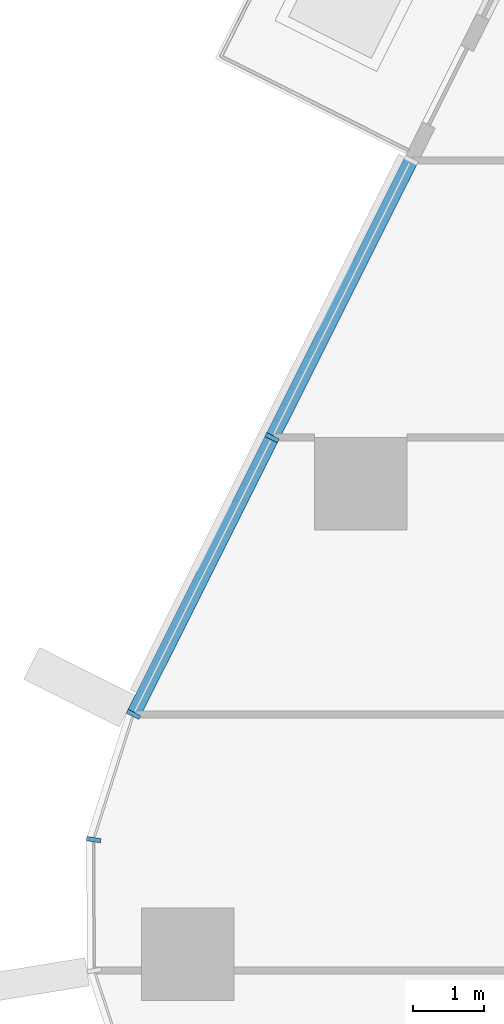
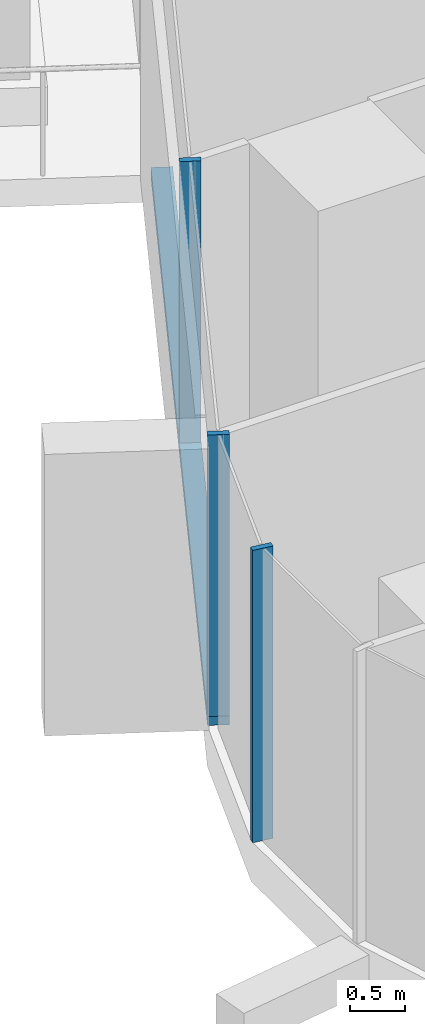
# One storey, part 3 of 24: 4 members, 2 elements without a shape of their own.
"""IFC4 building model written with IfcOpenShell, lengths in metres."""

import ifcopenshell
import ifcopenshell.guid

model = None  # the IFC model being written
_history = None  # IfcOwnerHistory: only IFC2X3 demands one
_inside = {}  # id of a spatial element -> (the spatial element, [elements in it])
_under = {}  # id of a project, library or spatial element -> (it, [spatial elements below it])
_declared = {}  # id of a project -> (the project, [libraries it declares])
_typed = {}  # id of a type object -> (the type object, [elements of that type])
_made_of = {}  # id of a material, layer set ... -> (it, [elements and type objects made of it])


def new_model(schema):
    """Start an empty IFC model of exactly this schema.

    Asked for "IFC4X3", IfcOpenShell would pick the latest addendum, in which some entities
    have other attributes; the version numbers below select the first issue.
    IFC2X3 requires an IfcOwnerHistory on every rooted entity: one is made here for all.
    """
    global model, _history
    if schema == "IFC4X3":
        model = ifcopenshell.file(schema_version=(4, 3, 0, 0))
    else:
        model = ifcopenshell.file(schema=schema)
    _inside.clear()
    _under.clear()
    _declared.clear()
    _typed.clear()
    _made_of.clear()
    _history = None
    if model.schema == "IFC2X3":
        org = make("IfcOrganization", Name="unknown")
        user = make(
            "IfcPersonAndOrganization",
            ThePerson=make("IfcPerson", FamilyName="unknown"),
            TheOrganization=org,
        )
        app = make(
            "IfcApplication",
            ApplicationDeveloper=org,
            Version="unknown",
            ApplicationFullName="unknown",
            ApplicationIdentifier="unknown",
        )
        _history = make(
            "IfcOwnerHistory",
            OwningUser=user,
            OwningApplication=app,
            ChangeAction="ADDED",
            CreationDate=0,
        )
    return model


def make(cls, **values):
    """One entity of the class cls with the attributes given. An attribute that is None is left unset."""
    return model.create_entity(
        cls, **{name: value for name, value in values.items() if value is not None}
    )


def rooted(cls, **values):
    """An entity with a GlobalId (a new one), such as an element, a storey or a relation."""
    return make(cls, GlobalId=ifcopenshell.guid.new(), OwnerHistory=_history, **values)


def si_unit(unit_type, name, prefix=None):
    """IfcSIUnit, for example si_unit("LENGTHUNIT", "METRE", prefix="MILLI")."""
    return make("IfcSIUnit", UnitType=unit_type, Prefix=prefix, Name=name)


def assignment(units):
    """IfcUnitAssignment: the units of a project."""
    return None if units is None else make("IfcUnitAssignment", Units=units)


def point(xyz):
    """IfcCartesianPoint."""
    return None if xyz is None else make("IfcCartesianPoint", Coordinates=xyz)


def direction(xyz):
    """IfcDirection."""
    return None if xyz is None else make("IfcDirection", DirectionRatios=xyz)


def frame(location, z_axis=None, x_axis=None):
    """IfcAxis2Placement3D, a coordinate frame: its origin and axes. An axis left out is left unset."""
    return make(
        "IfcAxis2Placement3D",
        Location=point(location),
        Axis=direction(z_axis),
        RefDirection=direction(x_axis),
    )


def frame_2d(location, x_axis=None):
    """IfcAxis2Placement2D, a coordinate frame in the plane: its origin and x axis."""
    return make(
        "IfcAxis2Placement2D", Location=point(location), RefDirection=direction(x_axis)
    )


def origin():
    """The frame at (0, 0, 0) with its axes left unset."""
    return frame((0.0, 0.0, 0.0))


def origin_2d():
    """The frame at (0, 0) in the plane with its x axis left unset."""
    return frame_2d((0.0, 0.0))


def place(relative_to, where):
    """IfcLocalPlacement: puts the frame where relative to a parent placement (None: the world)."""
    return make(
        "IfcLocalPlacement", PlacementRelTo=relative_to, RelativePlacement=where
    )


def context(
    kind, dimensions, precision=None, world=None, true_north=None, identifier=None
):
    """IfcGeometricRepresentationContext, for example the 3D "Model" context."""
    return make(
        "IfcGeometricRepresentationContext",
        ContextIdentifier=identifier,
        ContextType=kind,
        CoordinateSpaceDimension=dimensions,
        Precision=precision,
        WorldCoordinateSystem=world,
        TrueNorth=true_north,
    )


def subcontext(parent, identifier, kind, view, scale=None):
    """IfcGeometricRepresentationSubContext, for example "Body" below "Model"."""
    return make(
        "IfcGeometricRepresentationSubContext",
        ContextIdentifier=identifier,
        ContextType=kind,
        ParentContext=parent,
        TargetScale=scale,
        TargetView=view,
    )


def project(units=None, contexts=None):
    """IfcProject with its units and contexts."""
    return rooted(
        "IfcProject",
        Name="project",
        RepresentationContexts=contexts,
        UnitsInContext=assignment(units),
    )


def spatial(cls, under=None, at=None, **own):
    """A site, building, storey or space (cls), placed at a placement, below another one or the project."""
    s = rooted(cls, ObjectPlacement=at, **own)
    if under is not None:
        _under.setdefault(under.id(), (under, []))[1].append(s)
    return s


def profile(cls, at=None, kind="AREA", **sizes):
    """A parametric profile (cls). Its sizes go by their IFC names, for example OverallWidth=200.0."""
    return make(cls, ProfileType=kind, Position=at, **sizes)


def rectangle(**sizes):
    """IfcRectangleProfileDef."""
    return profile("IfcRectangleProfileDef", **sizes)


def extrude(swept, where, along, depth):
    """IfcExtrudedAreaSolid: the profile swept, set in the frame where, extruded along a direction by depth."""
    return make(
        "IfcExtrudedAreaSolid",
        SweptArea=swept,
        Position=where,
        ExtrudedDirection=direction(along),
        Depth=depth,
    )


def shape(context_of_items, identifier, shape_type, items):
    """IfcShapeRepresentation: the items that make up one representation, for example the "Body"."""
    return make(
        "IfcShapeRepresentation",
        ContextOfItems=context_of_items,
        RepresentationIdentifier=identifier,
        RepresentationType=shape_type,
        Items=items,
    )


def material(Name=None, Category=None):
    """IfcMaterial."""
    return make("IfcMaterial", Name=Name, Category=Category)


def layer(
    of_material, thickness, ventilated=None, Name=None, Category=None, Priority=None
):
    """IfcMaterialLayer: one layer of a wall or slab, of a material (None: an air gap)."""
    return make(
        "IfcMaterialLayer",
        Material=of_material,
        LayerThickness=thickness,
        IsVentilated=ventilated,
        Name=Name,
        Category=Category,
        Priority=Priority,
    )


def layer_set(layers, Name=None):
    """IfcMaterialLayerSet."""
    return make("IfcMaterialLayerSet", MaterialLayers=layers, LayerSetName=Name)


def material_profile(
    of_material, cross_section, Name=None, Category=None, Priority=None
):
    """IfcMaterialProfile: a cross section and its material."""
    return make(
        "IfcMaterialProfile",
        Name=Name,
        Material=of_material,
        Profile=cross_section,
        Priority=Priority,
        Category=Category,
    )


def profile_set(profiles, Name=None, composite=None):
    """IfcMaterialProfileSet."""
    return make(
        "IfcMaterialProfileSet",
        Name=Name,
        MaterialProfiles=profiles,
        CompositeProfile=composite,
    )


def made_of(thing, what):
    """Note that an element or type object is made of a material, layer set ...; save() writes the relation."""
    if what is not None:
        _made_of.setdefault(what.id(), (what, []))[1].append(thing)
    return thing


def type_object(cls, material=None, **own):
    """A type object (cls), such as IfcWallType, which elements share."""
    return made_of(rooted(cls, **own), material)


def element(
    cls,
    number,
    at=None,
    inside=None,
    cuts=None,
    type_object=None,
    material=None,
    context=None,
    identifier="Body",
    shape_type=None,
    held_by="IfcProductDefinitionShape",
    body=None,
    shapes=None,
    **own,
):
    """One element of the class cls, such as IfcWall. Its Tag is "e" and its number.

    at: its placement. inside: the storey or other place that contains it. cuts: it is an
    opening in that element (IfcRelVoidsElement). A single representation is given by context,
    identifier, shape_type and body (its items); several are given by shapes. held_by: the class
    of the entity that holds the representations. save() writes the other relations.
    """
    e = rooted(cls, Tag="e%d" % number, ObjectPlacement=at, **own)
    if body is not None:
        shapes = [shape(context, identifier, shape_type, body)]
    if shapes is not None:
        e.Representation = make(held_by, Representations=shapes)
    if inside is not None:
        _inside.setdefault(inside.id(), (inside, []))[1].append(e)
    if cuts is not None:
        rooted(
            "IfcRelVoidsElement", RelatingBuildingElement=cuts, RelatedOpeningElement=e
        )
    if type_object is not None:
        _typed.setdefault(type_object.id(), (type_object, []))[1].append(e)
    return made_of(e, material)


def aggregate(whole, parts):
    """IfcRelAggregates: a whole, such as a stair, and the parts it consists of."""
    return rooted("IfcRelAggregates", RelatingObject=whole, RelatedObjects=parts)


def save(model, path):
    """Write the relations noted so far, then the file.

    IfcRelAggregates (storeys below a building ...), IfcRelContainedInSpatialStructure (elements
    in a storey), IfcRelDefinesByType, IfcRelAssociatesMaterial and IfcRelDeclares: one each for
    every whole, place, type object, material and project.
    """
    for whole, parts in _under.values():
        aggregate(whole, parts)
    for where, things in _inside.values():
        rooted(
            "IfcRelContainedInSpatialStructure",
            RelatedElements=things,
            RelatingStructure=where,
        )
    for kind, things in _typed.values():
        rooted("IfcRelDefinesByType", RelatedObjects=things, RelatingType=kind)
    for what, things in _made_of.values():
        rooted("IfcRelAssociatesMaterial", RelatedObjects=things, RelatingMaterial=what)
    for by, libraries in _declared.values():
        rooted("IfcRelDeclares", RelatingContext=by, RelatedDefinitions=libraries)
    model.write(path)


model = new_model("IFC4")

# Units and contexts
model_context = context("Model", 3, precision=1e-05, world=origin(), true_north=direction((0.0, 1.0)))
body_context = subcontext(model_context, "Body", "Model", "MODEL_VIEW")
ifc_project = project(units=[si_unit("LENGTHUNIT", "METRE"), si_unit("AREAUNIT", "SQUARE_METRE"), si_unit("VOLUMEUNIT", "CUBIC_METRE"), si_unit("PLANEANGLEUNIT", "RADIAN"), si_unit("MASSUNIT", "GRAM", prefix="KILO")], contexts=[model_context])

# Site, building, storey
site_placement = place(None, origin())
site = spatial("IfcSite", under=ifc_project, at=site_placement, CompositionType="ELEMENT")
building_placement = place(site_placement, origin())
building = spatial("IfcBuilding", under=site, at=building_placement, Name="Dongbaek Canopy Tower", CompositionType="ELEMENT")
storey_placement = place(building_placement, frame((0.0, 0.0, 98.89990234375)))
storey = spatial("IfcBuildingStorey", under=building, at=storey_placement, Name="L20", CompositionType="ELEMENT", Elevation=98.89990234375)

# Curtain wall, members
ifc_material_1 = material(Name="Aluminium 6063-T6 pale anodised", Category="aluminium")
ifc_layer = layer(ifc_material_1, 0.199951171875)
ifc_layer_set = layer_set([ifc_layer], Name="CW-1 unitised tower curtain wall")
curtain_wall_type = type_object("IfcCurtainWallType", Name="CW-1 unitised tower curtain wall", PredefinedType="NOTDEFINED", material=ifc_layer_set)
curtain_wall_1_placement = place(storey_placement, origin())
curtain_wall_1 = element("IfcCurtainWall", 1, at=curtain_wall_1_placement, inside=storey, type_object=curtain_wall_type, Name="CW-1 curtain wall F2.1", PredefinedType="NOTDEFINED")
ifc_material_2 = material(Name="Aluminium 6063-T6 pale anodised", Category="aluminium")
ifc_material_profile_1 = material_profile(ifc_material_2, rectangle(XDim=0.199951171875, YDim=0.06005859375, at=origin_2d()), Name="CW-1 mullion 60 x 200")
ifc_profile_set_1 = profile_set([ifc_material_profile_1], Name="Aluminium 6063-T6 pale anodised")
member_type_1 = type_object("IfcMemberType", Name="CW-1 mullion 60 x 200", PredefinedType="MULLION", material=ifc_profile_set_1)
member_1_placement = place(storey_placement, frame((-28.93896484375, 0.733154296875, 0.1201171875), z_axis=(0.0, 0.0, 1.0), x_axis=(-0.894055791151, 0.447955625381, 0.0)))
member_1 = element("IfcMember", 2, at=member_1_placement, type_object=member_type_1, Name="CW-1 mullion F2.1.2", PredefinedType="MULLION", context=body_context, shape_type="SweptSolid", body=[
    extrude(rectangle(XDim=0.199951171875, YDim=0.06005859375, at=origin_2d()), origin(), (0.0, 0.0, 1.0), 3.1298828125),
])
member_2_placement = place(storey_placement, frame((-30.886962890625, -3.15478515625, 0.1201171875), z_axis=(0.0, 0.0, 1.0), x_axis=(-0.894055791151, 0.447955625381, 0.0)))
member_2 = element("IfcMember", 3, at=member_2_placement, type_object=member_type_1, Name="CW-1 mullion F2.1.3", PredefinedType="MULLION", context=body_context, shape_type="SweptSolid", body=[
    extrude(rectangle(XDim=0.199951171875, YDim=0.06005859375, at=origin_2d()), origin(), (0.0, 0.0, 1.0), 3.1298828125),
])

# Curtain wall, member
curtain_wall_2_placement = place(storey_placement, origin())
curtain_wall_2 = element("IfcCurtainWall", 4, at=curtain_wall_2_placement, inside=storey, type_object=curtain_wall_type, Name="CW-1 curtain wall K3.1", PredefinedType="NOTDEFINED")
member_3_placement = place(storey_placement, frame((-31.447021484375, -4.915771484375, 0.0), z_axis=(0.0, 0.0, 1.0), x_axis=(-0.988575704859, 0.150725166318, 0.0)))
member_3 = element("IfcMember", 5, at=member_3_placement, type_object=member_type_1, Name="CW-1 mullion K3.1.2", PredefinedType="MULLION", context=body_context, shape_type="SweptSolid", body=[
    extrude(rectangle(XDim=0.199951171875, YDim=0.06005859375, at=origin_2d()), origin(), (0.0, 0.0, 1.0), 3.25),
])
aggregate(curtain_wall_2, [member_3])

# Member
ifc_material_3 = material(Name="Aluminium 6063-T6 pale anodised", Category="aluminium")
ifc_material_profile_2 = material_profile(ifc_material_3, rectangle(XDim=0.199951171875, YDim=0.1201171875, at=origin_2d()), Name="CW-1 transom 120 x 200")
ifc_profile_set_2 = profile_set([ifc_material_profile_2], Name="Aluminium 6063-T6 pale anodised")
member_type_2 = type_object("IfcMemberType", Name="CW-1 transom 120 x 200", PredefinedType="USERDEFINED", material=ifc_profile_set_2)
member_4_placement = place(storey_placement, frame((-26.9873046875, 4.62841796875, 0.06005859375), z_axis=(-0.447953815462, -0.894056697986, 0.0), x_axis=(0.894056697986, -0.447953815462, 0.0)))
member_4 = element("IfcMember", 6, at=member_4_placement, type_object=member_type_2, Name="CW-1 transom F2.1.1", ObjectType="TRANSOM", PredefinedType="USERDEFINED", context=body_context, shape_type="SweptSolid", body=[
    extrude(rectangle(XDim=0.199951171875, YDim=0.1201171875, at=origin_2d()), origin(), (0.0, 0.0, 1.0), 8.70556640625),
])

aggregate(curtain_wall_1, [member_1, member_2, member_4])

save(model, "model.ifc")
